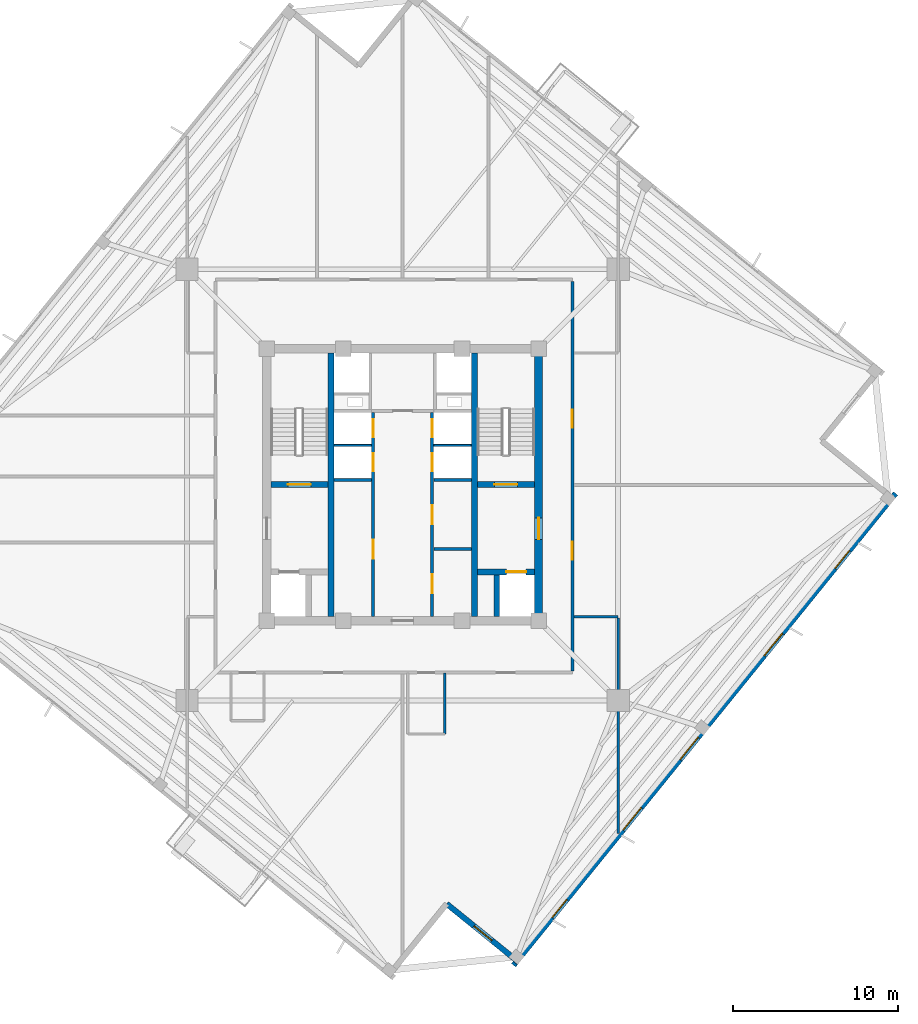
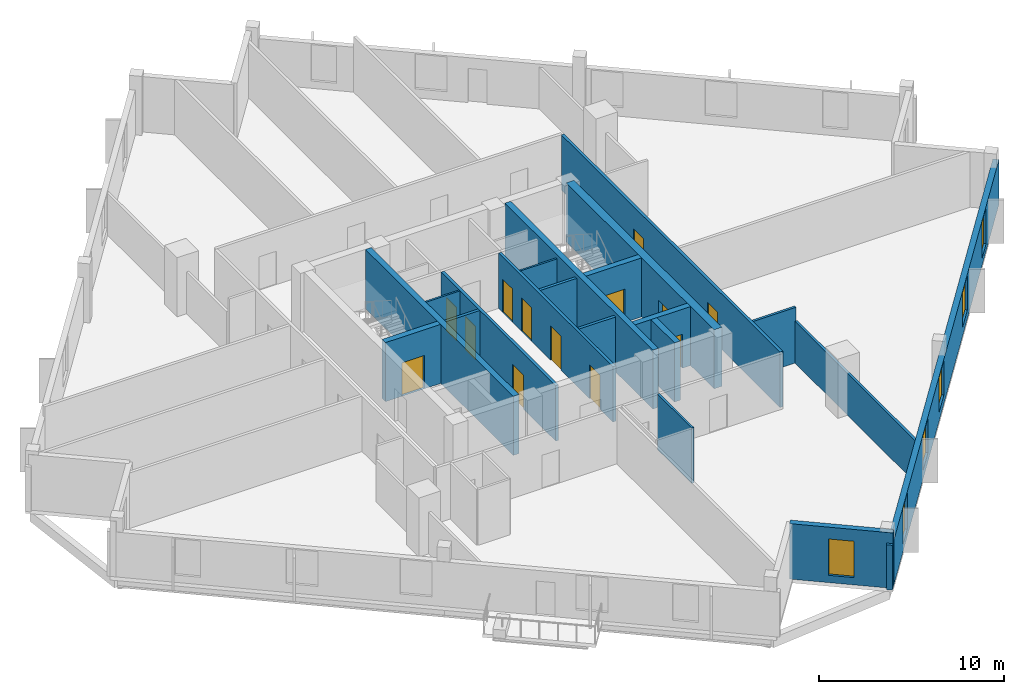
# One storey, part 4 of 10: 20 walls, 13 doors, 6 windows, 19 openings.
"""IFC4 building model written with IfcOpenShell, lengths in metres."""

from ifc_helpers import new_model, si_unit, direction, frame, frame_2d, origin, place, context, subcontext, project, spatial, rectangle, extrude, source, transform, mapped, material, layer, layer_set, type_object, element, fill, save


model = new_model("IFC4")

# Units and contexts
model_context = context("Model", 3, precision=1e-05, world=origin(), true_north=direction((0.0, 1.0)))
body_context = subcontext(model_context, "Body", "Model", "MODEL_VIEW")
ifc_project = project(units=[si_unit("LENGTHUNIT", "METRE"), si_unit("AREAUNIT", "SQUARE_METRE"), si_unit("VOLUMEUNIT", "CUBIC_METRE"), si_unit("PLANEANGLEUNIT", "RADIAN"), si_unit("MASSUNIT", "GRAM", prefix="KILO"), si_unit("THERMODYNAMICTEMPERATUREUNIT", "KELVIN")], contexts=[model_context])

# Site, building, storey
site_placement = place(None, origin())
site = spatial("IfcSite", under=ifc_project, at=site_placement, CompositionType="ELEMENT")
building_placement = place(site_placement, origin())
building = spatial("IfcBuilding", under=site, at=building_placement, Name="Kosmvard Interchange Tower", CompositionType="ELEMENT")
storey_placement = place(building_placement, frame((0.0, 0.0, 252.39990234375)))
storey = spatial("IfcBuildingStorey", under=building, at=storey_placement, Name="L61", CompositionType="ELEMENT", Elevation=252.39990234375)

# Walls
ifc_material_1 = material(Name="Acoustic gypsum partition system")
ifc_layer_1 = layer(ifc_material_1, 0.14990234375, Name="Acoustic gypsum partition system")
ifc_layer_set_1 = layer_set([ifc_layer_1], Name="Acoustic gypsum partition system")
wall_type_1 = type_object("IfcWallType", Name="Acoustic Suite & Meeting Partition 150", PredefinedType="PARTITIONING", material=ifc_layer_set_1)
wall_1_placement = place(storey_placement, frame((10.39501953125, -8.0, 0.0), z_axis=(0.0, 0.0, 1.0), x_axis=(1.0, 0.0, 0.0)))
element("IfcWall", 1, at=wall_1_placement, inside=storey, type_object=wall_type_1, Name="L61 Room Partition 11.1", PredefinedType="PARTITIONING", context=body_context, shape_type="SweptSolid", body=[
    extrude(rectangle(XDim=2.68603515625, YDim=0.14990234375, at=frame_2d((1.343017578125, 0.0))), origin(), (0.0, 0.0, 1.0), 3.66015625),
])
wall_2_placement = place(storey_placement, frame((13.0810546875, -8.074951171875, 0.0), z_axis=(0.0, 0.0, 1.0), x_axis=(0.0, -1.0, 0.0)))
element("IfcWall", 2, at=wall_2_placement, inside=storey, type_object=wall_type_1, Name="L61 Room Partition 12.1", PredefinedType="PARTITIONING", context=body_context, shape_type="SweptSolid", body=[
    extrude(rectangle(XDim=13.073486328125, YDim=0.14990234375, at=frame_2d((6.53662109375, 0.0))), origin(), (0.0, 0.0, 1.0), 2.760009765625),
])

# Wall, openings, doors
ifc_material_2 = material(Name="Fire-rated gypsum partition system")
ifc_layer_2 = layer(ifc_material_2, 0.179931640625, Name="Fire-rated gypsum partition system")
ifc_layer_set_2 = layer_set([ifc_layer_2], Name="Fire-rated gypsum partition system")
wall_type_2 = type_object("IfcWallType", Name="Corridor & Hotel Compartment Partition 180", PredefinedType="PARTITIONING", material=ifc_layer_set_2)
wall_3_placement = place(storey_placement, frame((-1.7900390625, -7.97998046875, 0.0), z_axis=(0.0, 0.0, 1.0), x_axis=(0.0, 1.0, 0.0)))
wall_3 = element("IfcWall", 3, at=wall_3_placement, inside=storey, type_object=wall_type_2, Name="L61 West Lift Bank Front Wall", PredefinedType="PARTITIONING", context=body_context, shape_type="SweptSolid", body=[
    extrude(rectangle(XDim=12.3798828125, YDim=0.179931640625, at=frame_2d((6.18994140625, 0.0))), origin(), (0.0, 0.0, 1.0), 3.66015625),
])
opening_1_placement = place(wall_3_placement, frame((8.800048828125, 0.0, 0.0)))
opening_1 = element("IfcOpeningElement", 4, at=opening_1_placement, cuts=wall_3, Name="Opening LD-PL-H1-L61", PredefinedType="OPENING", context=body_context, shape_type="SweptSolid", body=[
    extrude(rectangle(XDim=1.10009765625, YDim=2.199951171875, at=frame_2d((0.550048828125, 1.10009765625))), frame((0.0, 0.10009765625, 0.0), z_axis=(0.0, -1.0, 0.0), x_axis=(1.0, 0.0, 0.0)), (0.0, 0.0, 1.0), 0.199951171875),
])
opening_2_placement = place(wall_3_placement, frame((10.860107421875, 0.0, 0.0)))
opening_2 = element("IfcOpeningElement", 5, at=opening_2_placement, cuts=wall_3, Name="Opening LD-PL-H2-L61", PredefinedType="OPENING", context=body_context, shape_type="SweptSolid", body=[
    extrude(rectangle(XDim=1.10009765625, YDim=2.199951171875, at=frame_2d((0.550048828125, 1.10009765625))), frame((0.0, 0.10009765625, 0.0), z_axis=(0.0, -1.0, 0.0), x_axis=(1.0, 0.0, 0.0)), (0.0, 0.0, 1.0), 0.199951171875),
])
opening_3_placement = place(wall_3_placement, frame((3.5, 0.0, 0.0)))
opening_3 = element("IfcOpeningElement", 6, at=opening_3_placement, cuts=wall_3, Name="Opening L61-CD1", PredefinedType="OPENING", context=body_context, shape_type="SweptSolid", body=[
    extrude(rectangle(XDim=1.14990234375, YDim=2.25, at=frame_2d((0.574951171875, 1.125))), frame((0.0, 0.10009765625, 0.0), z_axis=(0.0, -1.0, 0.0), x_axis=(1.0, 0.0, 0.0)), (0.0, 0.0, 1.0), 0.199951171875),
])
ifc_material_3 = material(Name="Painted fire-rated steel leaf", Category="steel")
door_type_1 = type_object("IfcDoorType", Name="Plant & Riser Fire Door 1150x2250 EI60", OperationType="NOTDEFINED", PredefinedType="DOOR", material=ifc_material_3)
shared_shape_1 = source(origin(), body_context, "Body", "SweptSolid", [
    extrude(rectangle(XDim=1.14990234375, YDim=2.25, at=frame_2d((0.574951171875, 1.125))), frame((0.0, 0.02490234375, 0.0), z_axis=(0.0, -1.0, 0.0), x_axis=(1.0, 0.0, 0.0)), (0.0, 0.0, 1.0), 0.050048828125),
])
door_1_placement = place(opening_3_placement, origin())
door_1 = element("IfcDoor", 7, at=door_1_placement, inside=storey, type_object=door_type_1, Name="L61 Core West Store Door", OperationType="SINGLE_SWING_LEFT", OverallHeight=2.25, OverallWidth=1.14990234375, PredefinedType="DOOR", context=body_context, shape_type="MappedRepresentation", body=[
    mapped(shared_shape_1, transform((0.0, 0.0, 0.0), scale=1.0)),
])
fill(opening_3, door_1)
ifc_material_4 = material(Name="Brushed stainless steel sliding leaf", Category="steel")
door_type_2 = type_object("IfcDoorType", Name="Passenger Lift Sliding Landing Door 1100x2200 EI60", OperationType="DOUBLE_DOOR_SLIDING", PredefinedType="DOOR", material=ifc_material_4)
shared_shape_2 = source(origin(), body_context, "Body", "SweptSolid", [
    extrude(rectangle(XDim=1.10009765625, YDim=2.199951171875, at=frame_2d((0.550048828125, 1.10009765625))), frame((0.0, 0.02490234375, 0.0), z_axis=(0.0, -1.0, 0.0), x_axis=(1.0, 0.0, 0.0)), (0.0, 0.0, 1.0), 0.050048828125),
])
door_2_placement = place(opening_1_placement, frame((1.10009765625, 0.0, 0.0), z_axis=(0.0, 0.0, 1.0), x_axis=(-1.0, 0.0, 0.0)))
door_2 = element("IfcDoor", 8, at=door_2_placement, inside=storey, type_object=door_type_2, Name="Lift PL-H1 Landing Door L61", OperationType="DOUBLE_DOOR_SLIDING", OverallHeight=2.199951171875, OverallWidth=1.10009765625, PredefinedType="DOOR", context=body_context, shape_type="MappedRepresentation", body=[
    mapped(shared_shape_2, transform((0.0, 0.0, 0.0), scale=1.0)),
])
fill(opening_1, door_2)
door_3_placement = place(opening_2_placement, frame((1.10009765625, 0.0, 0.0), z_axis=(0.0, 0.0, 1.0), x_axis=(-1.0, 0.0, 0.0)))
door_3 = element("IfcDoor", 9, at=door_3_placement, inside=storey, type_object=door_type_2, Name="Lift PL-H2 Landing Door L61", OperationType="DOUBLE_DOOR_SLIDING", OverallHeight=2.199951171875, OverallWidth=1.10009765625, PredefinedType="DOOR", context=body_context, shape_type="MappedRepresentation", body=[
    mapped(shared_shape_2, transform((0.0, 0.0, 0.0), scale=1.0)),
])
fill(opening_2, door_3)

wall_4_placement = place(storey_placement, frame((1.7900390625, -7.97998046875, 0.0), z_axis=(0.0, 0.0, 1.0), x_axis=(0.0, 1.0, 0.0)))
wall_4 = element("IfcWall", 10, at=wall_4_placement, inside=storey, type_object=wall_type_2, Name="L61 East Lift Bank Front Wall", PredefinedType="PARTITIONING", context=body_context, shape_type="SweptSolid", body=[
    extrude(rectangle(XDim=12.3798828125, YDim=0.179931640625, at=frame_2d((6.18994140625, 0.0))), origin(), (0.0, 0.0, 1.0), 3.66015625),
])
opening_4_placement = place(wall_4_placement, frame((8.800048828125, 0.0, 0.0)))
opening_4 = element("IfcOpeningElement", 11, at=opening_4_placement, cuts=wall_4, Name="Opening LD-PL-H3-L61", PredefinedType="OPENING", context=body_context, shape_type="SweptSolid", body=[
    extrude(rectangle(XDim=1.10009765625, YDim=2.199951171875, at=frame_2d((0.550048828125, 1.10009765625))), frame((0.0, 0.10009765625, 0.0), z_axis=(0.0, -1.0, 0.0), x_axis=(1.0, 0.0, 0.0)), (0.0, 0.0, 1.0), 0.199951171875),
])
opening_5_placement = place(wall_4_placement, frame((10.860107421875, 0.0, 0.0)))
opening_5 = element("IfcOpeningElement", 12, at=opening_5_placement, cuts=wall_4, Name="Opening LD-PL-H4-L61", PredefinedType="OPENING", context=body_context, shape_type="SweptSolid", body=[
    extrude(rectangle(XDim=1.10009765625, YDim=2.199951171875, at=frame_2d((0.550048828125, 1.10009765625))), frame((0.0, 0.10009765625, 0.0), z_axis=(0.0, -1.0, 0.0), x_axis=(1.0, 0.0, 0.0)), (0.0, 0.0, 1.0), 0.199951171875),
])
opening_6_placement = place(wall_4_placement, frame((1.39990234375, 0.0, 0.0)))
opening_6 = element("IfcOpeningElement", 13, at=opening_6_placement, cuts=wall_4, Name="Opening L61-CD2", PredefinedType="OPENING", context=body_context, shape_type="SweptSolid", body=[
    extrude(rectangle(XDim=1.14990234375, YDim=2.25, at=frame_2d((0.574951171875, 1.125))), frame((0.0, 0.10009765625, 0.0), z_axis=(0.0, -1.0, 0.0), x_axis=(1.0, 0.0, 0.0)), (0.0, 0.0, 1.0), 0.199951171875),
])
opening_7_placement = place(wall_4_placement, frame((5.60009765625, 0.0, 0.0)))
opening_7 = element("IfcOpeningElement", 14, at=opening_7_placement, cuts=wall_4, Name="Opening L61-CD3", PredefinedType="OPENING", context=body_context, shape_type="SweptSolid", body=[
    extrude(rectangle(XDim=1.14990234375, YDim=2.25, at=frame_2d((0.574951171875, 1.125))), frame((0.0, 0.10009765625, 0.0), z_axis=(0.0, -1.0, 0.0), x_axis=(1.0, 0.0, 0.0)), (0.0, 0.0, 1.0), 0.199951171875),
])
door_4_placement = place(opening_6_placement, frame((1.14990234375, 0.0, 0.0), z_axis=(0.0, 0.0, 1.0), x_axis=(-1.0, 0.0, 0.0)))
door_4 = element("IfcDoor", 15, at=door_4_placement, inside=storey, type_object=door_type_1, Name="L61 Core Tea Pantry Door", OperationType="SINGLE_SWING_LEFT", OverallHeight=2.25, OverallWidth=1.14990234375, PredefinedType="DOOR", context=body_context, shape_type="MappedRepresentation", body=[
    mapped(shared_shape_1, transform((0.0, 0.0, 0.0), scale=1.0)),
])
fill(opening_6, door_4)
door_5_placement = place(opening_7_placement, frame((1.14990234375, 0.0, 0.0), z_axis=(0.0, 0.0, 1.0), x_axis=(-1.0, 0.0, 0.0)))
door_5 = element("IfcDoor", 16, at=door_5_placement, inside=storey, type_object=door_type_1, Name="L61 Mid Core Pantry Door", OperationType="SINGLE_SWING_RIGHT", OverallHeight=2.25, OverallWidth=1.14990234375, PredefinedType="DOOR", context=body_context, shape_type="MappedRepresentation", body=[
    mapped(shared_shape_1, transform((0.0, 0.0, 0.0), scale=1.0)),
])
fill(opening_7, door_5)
door_6_placement = place(opening_4_placement, origin())
door_6 = element("IfcDoor", 17, at=door_6_placement, inside=storey, type_object=door_type_2, Name="Lift PL-H3 Landing Door L61", OperationType="DOUBLE_DOOR_SLIDING", OverallHeight=2.199951171875, OverallWidth=1.10009765625, PredefinedType="DOOR", context=body_context, shape_type="MappedRepresentation", body=[
    mapped(shared_shape_2, transform((0.0, 0.0, 0.0), scale=1.0)),
])
fill(opening_4, door_6)
door_7_placement = place(opening_5_placement, origin())
door_7 = element("IfcDoor", 18, at=door_7_placement, inside=storey, type_object=door_type_2, Name="Lift PL-H4 Landing Door L61", OperationType="DOUBLE_DOOR_SLIDING", OverallHeight=2.199951171875, OverallWidth=1.10009765625, PredefinedType="DOOR", context=body_context, shape_type="MappedRepresentation", body=[
    mapped(shared_shape_2, transform((0.0, 0.0, 0.0), scale=1.0)),
])
fill(opening_5, door_7)

wall_5_placement = place(storey_placement, frame((10.300048828125, -11.300048828125, 0.0), z_axis=(0.0, 0.0, 1.0), x_axis=(0.0, 1.0, 0.0)))
wall_5 = element("IfcWall", 19, at=wall_5_placement, inside=storey, type_object=wall_type_2, Name="L61 Corridor Wall CE", PredefinedType="PARTITIONING", context=body_context, shape_type="SweptSolid", body=[
    extrude(rectangle(XDim=23.650146484375, YDim=0.179931640625, at=frame_2d((11.8251953125, 0.0))), origin(), (0.0, 0.0, 1.0), 3.66015625),
])
opening_8_placement = place(wall_5_placement, frame((14.75, 0.0, 0.0)))
opening_8 = element("IfcOpeningElement", 20, at=opening_8_placement, cuts=wall_5, Name="Opening L61-D09", PredefinedType="OPENING", context=body_context, shape_type="SweptSolid", body=[
    extrude(rectangle(XDim=1.10009765625, YDim=2.199951171875, at=frame_2d((0.550048828125, 1.10009765625))), frame((0.0, 0.10009765625, 0.0), z_axis=(0.0, -1.0, 0.0), x_axis=(1.0, 0.0, 0.0)), (0.0, 0.0, 1.0), 0.199951171875),
])
opening_9_placement = place(wall_5_placement, frame((6.75, 0.0, 0.0)))
opening_9 = element("IfcOpeningElement", 21, at=opening_9_placement, cuts=wall_5, Name="Opening L61-D10", PredefinedType="OPENING", context=body_context, shape_type="SweptSolid", body=[
    extrude(rectangle(XDim=1.10009765625, YDim=2.199951171875, at=frame_2d((0.550048828125, 1.10009765625))), frame((0.0, 0.10009765625, 0.0), z_axis=(0.0, -1.0, 0.0), x_axis=(1.0, 0.0, 0.0)), (0.0, 0.0, 1.0), 0.199951171875),
])
ifc_material_5 = material(Name="Engineered oak fire-rated timber", Category="wood")
door_type_3 = type_object("IfcDoorType", Name="Office Suite Entrance Door 1100x2200 FD30S", OperationType="NOTDEFINED", PredefinedType="DOOR", material=ifc_material_5)
door_8_placement = place(opening_8_placement, frame((1.10009765625, 0.0, 0.0), z_axis=(0.0, 0.0, 1.0), x_axis=(-1.0, 0.0, 0.0)))
door_8 = element("IfcDoor", 22, at=door_8_placement, inside=storey, type_object=door_type_3, Name="L61 South-West Corner Office Door", OperationType="SINGLE_SWING_LEFT", OverallHeight=2.199951171875, OverallWidth=1.10009765625, PredefinedType="DOOR", context=body_context, shape_type="MappedRepresentation", body=[
    mapped(shared_shape_2, transform((0.0, 0.0, 0.0), scale=1.0)),
])
fill(opening_8, door_8)
door_9_placement = place(opening_9_placement, frame((1.10009765625, 0.0, 0.0), z_axis=(0.0, 0.0, 1.0), x_axis=(-1.0, 0.0, 0.0)))
door_9 = element("IfcDoor", 23, at=door_9_placement, inside=storey, type_object=door_type_3, Name="L61 Counsel Pantry Door", OperationType="SINGLE_SWING_RIGHT", OverallHeight=2.199951171875, OverallWidth=1.10009765625, PredefinedType="DOOR", context=body_context, shape_type="MappedRepresentation", body=[
    mapped(shared_shape_2, transform((0.0, 0.0, 0.0), scale=1.0)),
])
fill(opening_9, door_9)

# Wall, openings, windows
ifc_material_6 = material(Name="Precast concrete C45/55", Category="concrete")
ifc_layer_3 = layer(ifc_material_6, 0.340087890625, Name="Precast concrete C45/55")
ifc_layer_set_3 = layer_set([ifc_layer_3], Name="Precast concrete C45/55")
wall_type_3 = type_object("IfcWallType", Name="Mid Tower Precast Pier Wall 340 C45/55", PredefinedType="STANDARD", material=ifc_layer_set_3)
wall_6_placement = place(storey_placement, frame((6.73291015625, -29.154296875, 0.0), z_axis=(0.0, 0.0, 1.0), x_axis=(0.629325378072, 0.77714192302, 0.0)))
wall_6 = element("IfcWall", 24, at=wall_6_placement, inside=storey, type_object=wall_type_3, Name="L61 Precast Facade Wall F-S", PredefinedType="STANDARD", context=body_context, shape_type="SweptSolid", body=[
    extrude(rectangle(XDim=36.840087890625, YDim=0.340087890625, at=frame_2d((18.419921875, 0.0))), origin(), (0.0, 0.0, 1.0), 2.960205078125),
])
opening_10_placement = place(wall_6_placement, frame((3.720703125, 0.0, 0.47998046875)))
opening_10 = element("IfcOpeningElement", 25, at=opening_10_placement, cuts=wall_6, Name="Opening L61-W01", PredefinedType="OPENING", context=body_context, shape_type="SweptSolid", body=[
    extrude(rectangle(XDim=1.39990234375, YDim=2.39990234375, at=frame_2d((0.699951171875, 1.199951171875))), frame((0.0, 0.18017578125, 0.0), z_axis=(0.0, -1.0, 0.0), x_axis=(1.0, 0.0, 0.0)), (0.0, 0.0, 1.0), 0.360107421875),
])
opening_11_placement = place(wall_6_placement, frame((10.55859375, 0.0, 0.580078125)))
opening_11 = element("IfcOpeningElement", 26, at=opening_11_placement, cuts=wall_6, Name="Opening L61-W02", PredefinedType="OPENING", context=body_context, shape_type="SweptSolid", body=[
    extrude(rectangle(XDim=1.75, YDim=2.300048828125, at=frame_2d((0.875, 1.14990234375))), frame((0.0, 0.18017578125, 0.0), z_axis=(0.0, -1.0, 0.0), x_axis=(1.0, 0.0, 0.0)), (0.0, 0.0, 1.0), 0.360107421875),
])
opening_12_placement = place(wall_6_placement, frame((16.05810546875, 0.0, 0.580078125)))
opening_12 = element("IfcOpeningElement", 27, at=opening_12_placement, cuts=wall_6, Name="Opening L61-W03", PredefinedType="OPENING", context=body_context, shape_type="SweptSolid", body=[
    extrude(rectangle(XDim=1.75, YDim=2.300048828125, at=frame_2d((0.875, 1.14990234375))), frame((0.0, 0.18017578125, 0.0), z_axis=(0.0, -1.0, 0.0), x_axis=(1.0, 0.0, 0.0)), (0.0, 0.0, 1.0), 0.360107421875),
])
opening_13_placement = place(wall_6_placement, frame((24.17626953125, 0.0, 0.580078125)))
opening_13 = element("IfcOpeningElement", 28, at=opening_13_placement, cuts=wall_6, Name="Opening L61-W04", PredefinedType="OPENING", context=body_context, shape_type="SweptSolid", body=[
    extrude(rectangle(XDim=1.75, YDim=2.300048828125, at=frame_2d((0.875, 1.14990234375))), frame((0.0, 0.18017578125, 0.0), z_axis=(0.0, -1.0, 0.0), x_axis=(1.0, 0.0, 0.0)), (0.0, 0.0, 1.0), 0.360107421875),
])
opening_14_placement = place(wall_6_placement, frame((30.982421875, 0.0, 0.47998046875)))
opening_14 = element("IfcOpeningElement", 29, at=opening_14_placement, cuts=wall_6, Name="Opening L61-W05", PredefinedType="OPENING", context=body_context, shape_type="SweptSolid", body=[
    extrude(rectangle(XDim=1.39990234375, YDim=2.39990234375, at=frame_2d((0.699951171875, 1.199951171875))), frame((0.0, 0.18017578125, 0.0), z_axis=(0.0, -1.0, 0.0), x_axis=(1.0, 0.0, 0.0)), (0.0, 0.0, 1.0), 0.360107421875),
])
ifc_material_7 = material(Name="Low-E solar-control double glazing", Category="glass")
window_type_1 = type_object("IfcWindowType", Name="Notched Corner Feature Window 1400x2400", PartitioningType="SINGLE_PANEL", PredefinedType="WINDOW", material=ifc_material_7)
shared_shape_3 = source(origin(), body_context, "Body", "SweptSolid", [
    extrude(rectangle(XDim=1.39990234375, YDim=2.39990234375, at=frame_2d((0.699951171875, 1.199951171875))), frame((0.0, 0.030029296875, 0.0), z_axis=(0.0, -1.0, 0.0), x_axis=(1.0, 0.0, 0.0)), (0.0, 0.0, 1.0), 0.06005859375),
])
window_1_placement = place(opening_10_placement, origin())
window_1 = element("IfcWindow", 30, at=window_1_placement, inside=storey, type_object=window_type_1, Name="L61 Facade Punched Window 01", OverallHeight=2.39990234375, OverallWidth=1.39990234375, PartitioningType="SINGLE_PANEL", PredefinedType="WINDOW", context=body_context, shape_type="MappedRepresentation", body=[
    mapped(shared_shape_3, transform((0.0, 0.0, 0.0), scale=1.0)),
])
fill(opening_10, window_1)
window_2_placement = place(opening_14_placement, origin())
window_2 = element("IfcWindow", 31, at=window_2_placement, inside=storey, type_object=window_type_1, Name="L61 Facade Punched Window 05", OverallHeight=2.39990234375, OverallWidth=1.39990234375, PartitioningType="SINGLE_PANEL", PredefinedType="WINDOW", context=body_context, shape_type="MappedRepresentation", body=[
    mapped(shared_shape_3, transform((0.0, 0.0, 0.0), scale=1.0)),
])
fill(opening_14, window_2)
window_type_2 = type_object("IfcWindowType", Name="Zone 4 Suite Punched Window 1750x2300", PartitioningType="SINGLE_PANEL", PredefinedType="WINDOW", material=ifc_material_7)
shared_shape_4 = source(origin(), body_context, "Body", "SweptSolid", [
    extrude(rectangle(XDim=1.75, YDim=2.300048828125, at=frame_2d((0.875, 1.14990234375))), frame((0.0, 0.030029296875, 0.0), z_axis=(0.0, -1.0, 0.0), x_axis=(1.0, 0.0, 0.0)), (0.0, 0.0, 1.0), 0.06005859375),
])
window_3_placement = place(opening_11_placement, origin())
window_3 = element("IfcWindow", 32, at=window_3_placement, inside=storey, type_object=window_type_2, Name="L61 Facade Punched Window 02", OverallHeight=2.300048828125, OverallWidth=1.75, PartitioningType="SINGLE_PANEL", PredefinedType="WINDOW", context=body_context, shape_type="MappedRepresentation", body=[
    mapped(shared_shape_4, transform((0.0, 0.0, 0.0), scale=1.0)),
])
fill(opening_11, window_3)
window_4_placement = place(opening_12_placement, origin())
window_4 = element("IfcWindow", 33, at=window_4_placement, inside=storey, type_object=window_type_2, Name="L61 Facade Punched Window 03", OverallHeight=2.300048828125, OverallWidth=1.75, PartitioningType="SINGLE_PANEL", PredefinedType="WINDOW", context=body_context, shape_type="MappedRepresentation", body=[
    mapped(shared_shape_4, transform((0.0, 0.0, 0.0), scale=1.0)),
])
fill(opening_12, window_4)
window_5_placement = place(opening_13_placement, origin())
window_5 = element("IfcWindow", 34, at=window_5_placement, inside=storey, type_object=window_type_2, Name="L61 Facade Punched Window 04", OverallHeight=2.300048828125, OverallWidth=1.75, PartitioningType="SINGLE_PANEL", PredefinedType="WINDOW", context=body_context, shape_type="MappedRepresentation", body=[
    mapped(shared_shape_4, transform((0.0, 0.0, 0.0), scale=1.0)),
])
fill(opening_13, window_5)

# Wall, opening, window
wall_7_placement = place(storey_placement, frame((2.672607421875, -25.428955078125, 0.0), z_axis=(0.0, 0.0, 1.0), x_axis=(0.777162640055, -0.629299794138, 0.0)))
wall_7 = element("IfcWall", 35, at=wall_7_placement, inside=storey, type_object=wall_type_3, Name="L61 Precast Facade Wall N-SW2", PredefinedType="STANDARD", context=body_context, shape_type="SweptSolid", body=[
    extrude(rectangle(XDim=5.669921875, YDim=0.340087890625, at=frame_2d((2.8349609375, 0.0))), origin(), (0.0, 0.0, 1.0), 3.66015625),
])
opening_15_placement = place(wall_7_placement, frame((2.135009765625, 0.0, 0.47998046875)))
opening_15 = element("IfcOpeningElement", 36, at=opening_15_placement, cuts=wall_7, Name="Opening L61-W23", PredefinedType="OPENING", context=body_context, shape_type="SweptSolid", body=[
    extrude(rectangle(XDim=1.39990234375, YDim=2.39990234375, at=frame_2d((0.699951171875, 1.199951171875))), frame((0.0, 0.18017578125, 0.0), z_axis=(0.0, -1.0, 0.0), x_axis=(1.0, 0.0, 0.0)), (0.0, 0.0, 1.0), 0.360107421875),
])
window_6_placement = place(opening_15_placement, origin())
window_6 = element("IfcWindow", 37, at=window_6_placement, inside=storey, type_object=window_type_1, Name="L61 Corner Notch Window 23", OverallHeight=2.39990234375, OverallWidth=1.39990234375, PartitioningType="SINGLE_PANEL", PredefinedType="WINDOW", context=body_context, shape_type="MappedRepresentation", body=[
    mapped(shared_shape_3, transform((0.0, 0.0, 0.0), scale=1.0)),
])
fill(opening_15, window_6)

# Walls
ifc_material_8 = material(Name="Concrete blockwork masonry", Category="masonry")
ifc_layer_4 = layer(ifc_material_8, 0.179931640625, Name="Concrete blockwork masonry")
ifc_layer_set_4 = layer_set([ifc_layer_4], Name="Concrete blockwork masonry")
wall_type_4 = type_object("IfcWallType", Name="Riser & Lift Bank Divider Wall 180", PredefinedType="PARTITIONING", material=ifc_layer_set_4)
for number, where, z_axis, x_axis, name in (
    (38, (1.889892578125, -3.89990234375, 0.0), (0.0, 0.0, 1.0), (1.0, 0.0, 0.0), "L61 East Bank Divider BD1"),
    (39, (-4.169921875, 0.300048828125, 0.0), (0.0, 0.0, 1.0), (1.0, 0.0, 0.0), "L61 West Bank Divider BD2"),
    (40, (1.889892578125, 0.300048828125, 0.0), (0.0, 0.0, 1.0), (1.0, 0.0, 0.0), "L61 East Bank Divider BD2"),
):
    element("IfcWall", number, at=place(storey_placement, frame(where, z_axis=z_axis, x_axis=x_axis)), inside=storey, type_object=wall_type_4, Name=name, PredefinedType="PARTITIONING", context=body_context, shape_type="SweptSolid", body=[
        extrude(rectangle(XDim=2.280029296875, YDim=0.179931640625, at=frame_2d((1.14013671875, 0.0))), origin(), (0.0, 0.0, 1.0), 3.66015625),
    ])
ifc_material_9 = material(Name="Fire-rated gypsum shaftwall system")
ifc_layer_5 = layer(ifc_material_9, 0.1201171875, Name="Fire-rated gypsum shaftwall system")
ifc_layer_set_5 = layer_set([ifc_layer_5], Name="Fire-rated gypsum shaftwall system")
wall_type_5 = type_object("IfcWallType", Name="Shaft & Riser Fire Partition 120 EI60", PredefinedType="PARTITIONING", material=ifc_layer_set_5)
for number, where, z_axis, x_axis, name in (
    (41, (-4.159912109375, 2.39990234375, 0.0), (0.0, 0.0, 1.0), (1.0, 0.0, 0.0), "L61 Shaft Divider PL-H1"),
    (42, (1.89990234375, 2.39990234375, 0.0), (0.0, 0.0, 1.0), (1.0, 0.0, 0.0), "L61 Shaft Divider PL-H3"),
):
    element("IfcWall", number, at=place(storey_placement, frame(where, z_axis=z_axis, x_axis=x_axis)), inside=storey, type_object=wall_type_5, Name=name, PredefinedType="PARTITIONING", context=body_context, shape_type="SweptSolid", body=[
        extrude(rectangle(XDim=2.260009765625, YDim=0.1201171875, at=frame_2d((1.1298828125, 0.0))), origin(), (0.0, 0.0, 1.0), 3.66015625),
    ])
ifc_material_10 = material(Name="Concrete C60/75", Category="concrete")
ifc_layer_6 = layer(ifc_material_10, 0.360107421875, Name="Concrete C60/75")
ifc_layer_set_6 = layer_set([ifc_layer_6], Name="Concrete C60/75")
wall_type_6 = type_object("IfcWallType", Name="Stair & Lift Shaft Shear Wall 360 C60/75", PredefinedType="SHEAR", material=ifc_layer_set_6)
for number, where, z_axis, x_axis, name in (
    (43, (-4.360107421875, -8.0, 0.0), (0.0, 0.0, 1.0), (0.0, 1.0, 0.0), "L61 Shaft Shear Wall SW-W"),
    (44, (4.360107421875, -8.0, 0.0), (0.0, 0.0, 1.0), (0.0, 1.0, 0.0), "L61 Shaft Shear Wall SW-E"),
):
    element("IfcWall", number, at=place(storey_placement, frame(where, z_axis=z_axis, x_axis=x_axis)), inside=storey, type_object=wall_type_6, Name=name, PredefinedType="SHEAR", context=body_context, shape_type="SweptSolid", body=[
        extrude(rectangle(XDim=16.0, YDim=0.360107421875, at=frame_2d((8.0, 0.0))), origin(), (0.0, 0.0, 1.0), 3.900146484375),
    ])

# Wall, opening, door
wall_8_placement = place(storey_placement, frame((-8.0, 0.02001953125, 0.0), z_axis=(0.0, 0.0, 1.0), x_axis=(1.0, 0.0, 0.0)))
wall_8 = element("IfcWall", 45, at=wall_8_placement, inside=storey, type_object=wall_type_6, Name="L61 Shaft Shear Wall SW-ST1", PredefinedType="SHEAR", context=body_context, shape_type="SweptSolid", body=[
    extrude(rectangle(XDim=3.4599609375, YDim=0.360107421875, at=frame_2d((1.72998046875, 0.0))), origin(), (0.0, 0.0, 1.0), 3.900146484375),
])
opening_16_placement = place(wall_8_placement, frame((1.030029296875, 0.0, 0.0)))
opening_16 = element("IfcOpeningElement", 46, at=opening_16_placement, cuts=wall_8, Name="Opening L61-SD1", PredefinedType="OPENING", context=body_context, shape_type="SweptSolid", body=[
    extrude(rectangle(XDim=1.39990234375, YDim=2.199951171875, at=frame_2d((0.699951171875, 1.10009765625))), frame((0.0, 0.18994140625, 0.0), z_axis=(0.0, -1.0, 0.0), x_axis=(1.0, 0.0, 0.0)), (0.0, 0.0, 1.0), 0.380126953125),
])
door_type_4 = type_object("IfcDoorType", Name="Protected Stair Door 1400x2200 FD60S", OperationType="NOTDEFINED", PredefinedType="DOOR", material=ifc_material_3)
shared_shape_5 = source(origin(), body_context, "Body", "SweptSolid", [
    extrude(rectangle(XDim=1.39990234375, YDim=2.199951171875, at=frame_2d((0.699951171875, 1.10009765625))), frame((0.0, 0.02490234375, 0.0), z_axis=(0.0, -1.0, 0.0), x_axis=(1.0, 0.0, 0.0)), (0.0, 0.0, 1.0), 0.050048828125),
])
door_10_placement = place(opening_16_placement, origin())
door_10 = element("IfcDoor", 47, at=door_10_placement, inside=storey, type_object=door_type_4, Name="L61 Stair ST-1 Enclosure Door", OperationType="SINGLE_SWING_LEFT", OverallHeight=2.199951171875, OverallWidth=1.39990234375, PredefinedType="DOOR", context=body_context, shape_type="MappedRepresentation", body=[
    mapped(shared_shape_5, transform((0.0, 0.0, 0.0), scale=1.0)),
])
fill(opening_16, door_10)

wall_9_placement = place(storey_placement, frame((4.5400390625, 0.02001953125, 0.0), z_axis=(0.0, 0.0, 1.0), x_axis=(1.0, 0.0, 0.0)))
wall_9 = element("IfcWall", 48, at=wall_9_placement, inside=storey, type_object=wall_type_6, Name="L61 Shaft Shear Wall SW-ST2", PredefinedType="SHEAR", context=body_context, shape_type="SweptSolid", body=[
    extrude(rectangle(XDim=3.4599609375, YDim=0.360107421875, at=frame_2d((1.72998046875, 0.0))), origin(), (0.0, 0.0, 1.0), 3.900146484375),
])
opening_17_placement = place(wall_9_placement, frame((1.030029296875, 0.0, 0.0)))
opening_17 = element("IfcOpeningElement", 49, at=opening_17_placement, cuts=wall_9, Name="Opening L61-SD2", PredefinedType="OPENING", context=body_context, shape_type="SweptSolid", body=[
    extrude(rectangle(XDim=1.39990234375, YDim=2.199951171875, at=frame_2d((0.699951171875, 1.10009765625))), frame((0.0, 0.18994140625, 0.0), z_axis=(0.0, -1.0, 0.0), x_axis=(1.0, 0.0, 0.0)), (0.0, 0.0, 1.0), 0.380126953125),
])
door_11_placement = place(opening_17_placement, origin())
door_11 = element("IfcDoor", 50, at=door_11_placement, inside=storey, type_object=door_type_4, Name="L61 Stair ST-2 Enclosure Door", OperationType="SINGLE_SWING_RIGHT", OverallHeight=2.199951171875, OverallWidth=1.39990234375, PredefinedType="DOOR", context=body_context, shape_type="MappedRepresentation", body=[
    mapped(shared_shape_5, transform((0.0, 0.0, 0.0), scale=1.0)),
])
fill(opening_17, door_11)

wall_10_placement = place(storey_placement, frame((4.5400390625, -5.280029296875, 0.0), z_axis=(0.0, 0.0, 1.0), x_axis=(1.0, 0.0, 0.0)))
wall_10 = element("IfcWall", 51, at=wall_10_placement, inside=storey, type_object=wall_type_6, Name="L61 Shaft Shear Wall SW-FF2", PredefinedType="SHEAR", context=body_context, shape_type="SweptSolid", body=[
    extrude(rectangle(XDim=3.4599609375, YDim=0.360107421875, at=frame_2d((1.72998046875, 0.0))), origin(), (0.0, 0.0, 1.0), 3.900146484375),
])
opening_18_placement = place(wall_10_placement, frame((1.760009765625, 0.0, 0.0)))
opening_18 = element("IfcOpeningElement", 52, at=opening_18_placement, cuts=wall_10, Name="Opening LD-FF-2-L61", PredefinedType="OPENING", context=body_context, shape_type="SweptSolid", body=[
    extrude(rectangle(XDim=1.199951171875, YDim=2.25, at=frame_2d((0.60009765625, 1.125))), frame((0.0, 0.18994140625, 0.0), z_axis=(0.0, -1.0, 0.0), x_axis=(1.0, 0.0, 0.0)), (0.0, 0.0, 1.0), 0.380126953125),
])
door_type_5 = type_object("IfcDoorType", Name="Firefighting Lift Sliding Landing Door 1200x2250 EI120", OperationType="DOUBLE_DOOR_SLIDING", PredefinedType="DOOR", material=ifc_material_4)
shared_shape_6 = source(origin(), body_context, "Body", "SweptSolid", [
    extrude(rectangle(XDim=1.199951171875, YDim=2.25, at=frame_2d((0.60009765625, 1.125))), frame((0.0, 0.02490234375, 0.0), z_axis=(0.0, -1.0, 0.0), x_axis=(1.0, 0.0, 0.0)), (0.0, 0.0, 1.0), 0.050048828125),
])
door_12_placement = place(opening_18_placement, origin())
door_12 = element("IfcDoor", 53, at=door_12_placement, inside=storey, type_object=door_type_5, Name="Lift FF-2 Landing Door L61", OperationType="DOUBLE_DOOR_SLIDING", OverallHeight=2.25, OverallWidth=1.199951171875, PredefinedType="DOOR", context=body_context, shape_type="MappedRepresentation", body=[
    mapped(shared_shape_6, transform((0.0, 0.0, 0.0), scale=1.0)),
])
fill(opening_18, door_12)

# Wall
wall_11_placement = place(storey_placement, frame((5.7099609375, -8.0, 0.0), z_axis=(0.0, 0.0, 1.0), x_axis=(0.0, 1.0, 0.0)))
element("IfcWall", 54, at=wall_11_placement, inside=storey, type_object=wall_type_6, Name="L61 Shaft Shear Wall SW-SM2", PredefinedType="SHEAR", context=body_context, shape_type="SweptSolid", body=[
    extrude(rectangle(XDim=2.5400390625, YDim=0.360107421875, at=frame_2d((1.27001953125, 0.0))), origin(), (0.0, 0.0, 1.0), 3.900146484375),
])

# Wall, opening, door
ifc_layer_7 = layer(ifc_material_10, 0.5, Name="Concrete C60/75")
ifc_layer_set_7 = layer_set([ifc_layer_7], Name="Concrete C60/75")
wall_type_7 = type_object("IfcWallType", Name="Upper Core Shear Wall 500 C60/75", PredefinedType="SHEAR", material=ifc_layer_set_7)
wall_12_placement = place(storey_placement, frame((8.25, -8.0, 0.0), z_axis=(0.0, 0.0, 1.0), x_axis=(0.0, 1.0, 0.0)))
wall_12 = element("IfcWall", 55, at=wall_12_placement, inside=storey, type_object=wall_type_7, Name="L61 Core Shear Wall CW-E", PredefinedType="SHEAR", context=body_context, shape_type="SweptSolid", body=[
    extrude(rectangle(XDim=16.0, YDim=0.5, at=frame_2d((8.0, 0.0))), origin(), (0.0, 0.0, 1.0), 3.900146484375),
])
opening_19_placement = place(wall_12_placement, frame((4.68994140625, 0.0, 0.0)))
opening_19 = element("IfcOpeningElement", 56, at=opening_19_placement, cuts=wall_12, Name="Opening L61-FD2", PredefinedType="OPENING", context=body_context, shape_type="SweptSolid", body=[
    extrude(rectangle(XDim=1.300048828125, YDim=2.199951171875, at=frame_2d((0.64990234375, 1.10009765625))), frame((0.0, 0.260009765625, 0.0), z_axis=(0.0, -1.0, 0.0), x_axis=(1.0, 0.0, 0.0)), (0.0, 0.0, 1.0), 0.52001953125),
])
door_type_6 = type_object("IfcDoorType", Name="Firefighting Lobby Door 1300x2200 EI60", OperationType="NOTDEFINED", PredefinedType="DOOR", material=ifc_material_3)
shared_shape_7 = source(origin(), body_context, "Body", "SweptSolid", [
    extrude(rectangle(XDim=1.300048828125, YDim=2.199951171875, at=frame_2d((0.64990234375, 1.10009765625))), frame((0.0, 0.02490234375, 0.0), z_axis=(0.0, -1.0, 0.0), x_axis=(1.0, 0.0, 0.0)), (0.0, 0.0, 1.0), 0.050048828125),
])
door_13_placement = place(opening_19_placement, origin())
door_13 = element("IfcDoor", 57, at=door_13_placement, inside=storey, type_object=door_type_6, Name="L61 Firefighting Lobby East Door", OperationType="SINGLE_SWING_RIGHT", OverallHeight=2.199951171875, OverallWidth=1.300048828125, PredefinedType="DOOR", context=body_context, shape_type="MappedRepresentation", body=[
    mapped(shared_shape_7, transform((0.0, 0.0, 0.0), scale=1.0)),
])
fill(opening_19, door_13)

# Wall
ifc_material_11 = material(Name="Moisture-resistant gypsum partition")
ifc_layer_8 = layer(ifc_material_11, 0.135009765625, Name="Moisture-resistant gypsum partition")
ifc_layer_set_8 = layer_set([ifc_layer_8], Name="Moisture-resistant gypsum partition")
wall_type_8 = type_object("IfcWallType", Name="Wet Room Moisture-Resistant Partition 135", PredefinedType="PARTITIONING", material=ifc_layer_set_8)
wall_13_placement = place(storey_placement, frame((2.56103515625, -15.1201171875, 0.0), z_axis=(0.0, 0.0, 1.0), x_axis=(0.0, 1.0, 0.0)))
element("IfcWall", 58, at=wall_13_placement, inside=storey, type_object=wall_type_8, Name="L61 Washroom Partition WC1-E", PredefinedType="PARTITIONING", context=body_context, shape_type="SweptSolid", body=[
    extrude(rectangle(XDim=3.7001953125, YDim=0.135009765625, at=frame_2d((1.85009765625, 0.0))), origin(), (0.0, 0.0, 1.0), 3.66015625),
])

save(model, "model.ifc")
